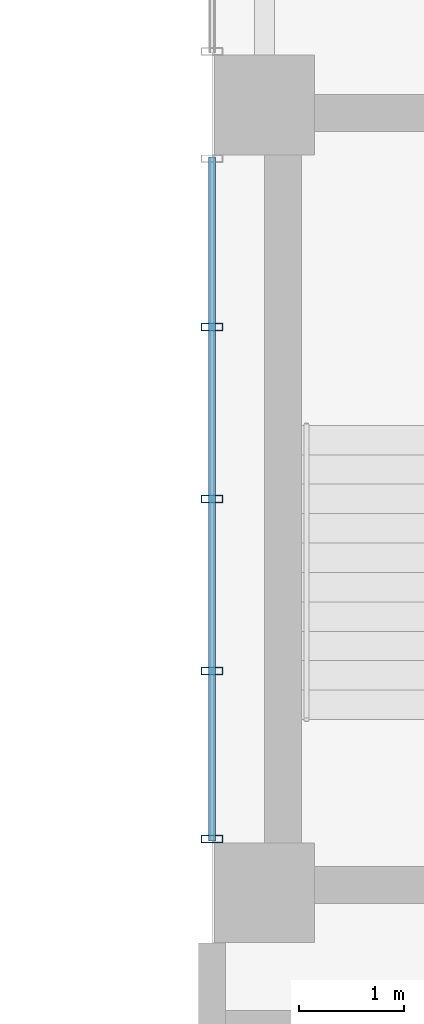
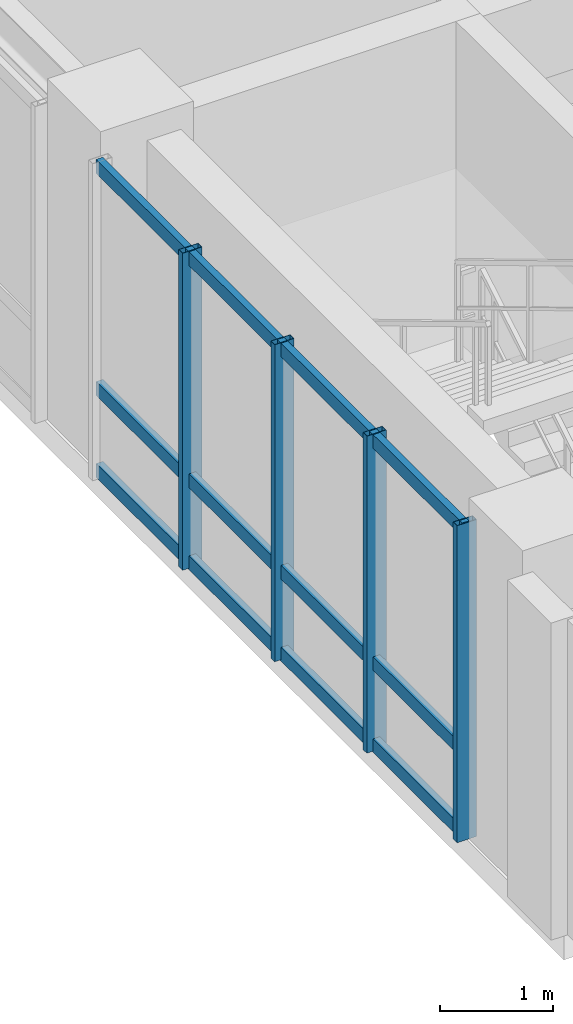
# One storey, part 4 of 24: 7 members, 1 element without a shape of its own.
"""IFC4 building model written with IfcOpenShell, lengths in metres."""

from ifc_helpers import new_model, si_unit, direction, frame, origin, origin_2d, place, context, subcontext, project, spatial, hollow_rectangle, extrude, source, transform, mapped, material, layer, layer_set, material_profile, profile_set, type_object, element, aggregate, save


model = new_model("IFC4")

# Units and contexts
model_context = context("Model", 3, precision=1e-05, world=origin(), true_north=direction((0.0, 1.0)))
body_context = subcontext(model_context, "Body", "Model", "MODEL_VIEW")
ifc_project = project(units=[si_unit("LENGTHUNIT", "METRE"), si_unit("AREAUNIT", "SQUARE_METRE"), si_unit("VOLUMEUNIT", "CUBIC_METRE"), si_unit("PLANEANGLEUNIT", "RADIAN"), si_unit("MASSUNIT", "GRAM", prefix="KILO")], contexts=[model_context])

# Site, building, storey
site_placement = place(None, origin())
site = spatial("IfcSite", under=ifc_project, at=site_placement, CompositionType="ELEMENT")
building_placement = place(site_placement, origin())
building = spatial("IfcBuilding", under=site, at=building_placement, Name="Kaliganga Portal Commons", CompositionType="ELEMENT")
storey_placement = place(building_placement, frame((0.0, 0.0, 235.10009765625)))
storey = spatial("IfcBuildingStorey", under=building, at=storey_placement, Name="L60", CompositionType="ELEMENT", Elevation=235.10009765625)

# Curtain wall, members
ifc_material_1 = material(Name="Anodized Aluminium and Laminated Low-E Glass", Category="aluminium")
ifc_layer = layer(ifc_material_1, 0.239990234375)
ifc_layer_set = layer_set([ifc_layer], Name="Anodized Aluminium and Laminated Low-E Glass")
curtain_wall_type = type_object("IfcCurtainWallType", Name="CW-SYS-04", PredefinedType="NOTDEFINED", material=ifc_layer_set)
curtain_wall_placement = place(storey_placement, origin())
curtain_wall = element("IfcCurtainWall", 1, at=curtain_wall_placement, inside=storey, type_object=curtain_wall_type, Name="CW 04 L60 P2E05S2", PredefinedType="NOTDEFINED")
ifc_material_2 = material(Name="Dark Bronze Anodized Aluminium", Category="aluminium")
ifc_material_profile_1 = material_profile(ifc_material_2, hollow_rectangle(XDim=0.070068359375, YDim=0.199951171875, WallThickness=0.00390625, at=origin_2d()), Name="ALU MULL 70x200x4")
ifc_profile_set_1 = profile_set([ifc_material_profile_1], Name="Dark Bronze Anodized Aluminium")
member_type_1 = type_object("IfcMemberType", Name="CW-MUL-220", PredefinedType="MULLION", material=ifc_profile_set_1)
shared_shape_1 = source(origin(), body_context, "Body", "SweptSolid", [
    extrude(hollow_rectangle(XDim=0.070068359375, YDim=0.199951171875, WallThickness=0.00390625, at=origin_2d()), origin(), (0.0, 0.0, 1.0), 3.43994140625),
])
member_1_placement = place(storey_placement, frame((35.5, 12.43701171875, 0.0), z_axis=(0.0, 0.0, 1.0), x_axis=(0.0, -1.0, 0.0)))
member_1 = element("IfcMember", 2, at=member_1_placement, type_object=member_type_1, Name="CW:04:L60:P2E05S2 Mullion 01", PredefinedType="MULLION", context=body_context, shape_type="MappedRepresentation", body=[
    mapped(shared_shape_1, transform((0.0, 0.0, 0.0), x_axis=(1.0, 0.0, 0.0), y_axis=(0.0, 1.0, 0.0), z_axis=(0.0, 0.0, 1.0), scale=1.0)),
])
member_2_placement = place(storey_placement, frame((35.5, 10.800048828125, 0.0), z_axis=(0.0, 0.0, 1.0), x_axis=(0.0, -1.0, 0.0)))
member_2 = element("IfcMember", 3, at=member_2_placement, type_object=member_type_1, Name="CW:04:L60:P2E05S2 Mullion 02", PredefinedType="MULLION", context=body_context, shape_type="MappedRepresentation", body=[
    mapped(shared_shape_1, transform((0.0, 0.0, 0.0), x_axis=(1.0, 0.0, 0.0), y_axis=(0.0, 1.0, 0.0), z_axis=(0.0, 0.0, 1.0), scale=1.0)),
])
member_3_placement = place(storey_placement, frame((35.5, 9.1630859375, 0.0), z_axis=(0.0, 0.0, 1.0), x_axis=(0.0, -1.0, 0.0)))
member_3 = element("IfcMember", 4, at=member_3_placement, type_object=member_type_1, Name="CW:04:L60:P2E05S2 Mullion 03", PredefinedType="MULLION", context=body_context, shape_type="MappedRepresentation", body=[
    mapped(shared_shape_1, transform((0.0, 0.0, 0.0), x_axis=(1.0, 0.0, 0.0), y_axis=(0.0, 1.0, 0.0), z_axis=(0.0, 0.0, 1.0), scale=1.0)),
])
member_4_placement = place(storey_placement, frame((35.5, 7.56103515625, 0.0), z_axis=(0.0, 0.0, 1.0), x_axis=(0.0, -1.0, 0.0)))
member_4 = element("IfcMember", 5, at=member_4_placement, type_object=member_type_1, Name="CW:04:L60:P2E05S2 Mullion 04", PredefinedType="MULLION", context=body_context, shape_type="MappedRepresentation", body=[
    mapped(shared_shape_1, transform((0.0, 0.0, 0.0), x_axis=(1.0, 0.0, 0.0), y_axis=(0.0, 1.0, 0.0), z_axis=(0.0, 0.0, 1.0), scale=1.0)),
])
ifc_material_profile_2 = material_profile(ifc_material_2, hollow_rectangle(XDim=0.070068359375, YDim=0.14990234375, WallThickness=0.00341796875, at=origin_2d()), Name="ALU TRAN 70x150x3.5")
ifc_profile_set_2 = profile_set([ifc_material_profile_2], Name="Dark Bronze Anodized Aluminium")
member_type_2 = type_object("IfcMemberType", Name="CW-TRN-150", PredefinedType="USERDEFINED", material=ifc_profile_set_2)
shared_shape_2 = source(origin(), body_context, "Body", "SweptSolid", [
    extrude(hollow_rectangle(XDim=0.070068359375, YDim=0.14990234375, WallThickness=0.00341796875, at=origin_2d()), origin(), (0.0, 0.0, 1.0), 6.508056640625),
])
member_5_placement = place(storey_placement, frame((35.5, 14.053955078125, 0.059814453125), z_axis=(0.0, -1.0, 0.0), x_axis=(1.0, 0.0, 0.0)))
member_5 = element("IfcMember", 6, at=member_5_placement, type_object=member_type_2, Name="CW:04:L60:P2E05S2 Transom 1", ObjectType="TRANSOM", PredefinedType="USERDEFINED", context=body_context, shape_type="MappedRepresentation", body=[
    mapped(shared_shape_2, transform((0.0, 0.0, 0.0), x_axis=(1.0, 0.0, 0.0), y_axis=(0.0, 1.0, 0.0), z_axis=(0.0, 0.0, 1.0), scale=1.0)),
])
member_6_placement = place(storey_placement, frame((35.5, 14.053955078125, 0.949951171875), z_axis=(0.0, -1.0, 0.0), x_axis=(1.0, 0.0, 0.0)))
member_6 = element("IfcMember", 7, at=member_6_placement, type_object=member_type_2, Name="CW:04:L60:P2E05S2 Transom 2", ObjectType="TRANSOM", PredefinedType="USERDEFINED", context=body_context, shape_type="MappedRepresentation", body=[
    mapped(shared_shape_2, transform((0.0, 0.0, 0.0), x_axis=(1.0, 0.0, 0.0), y_axis=(0.0, 1.0, 0.0), z_axis=(0.0, 0.0, 1.0), scale=1.0)),
])
member_7_placement = place(storey_placement, frame((35.5, 14.053955078125, 3.35986328125), z_axis=(0.0, -1.0, 0.0), x_axis=(1.0, 0.0, 0.0)))
member_7 = element("IfcMember", 8, at=member_7_placement, type_object=member_type_2, Name="CW:04:L60:P2E05S2 Transom 3", ObjectType="TRANSOM", PredefinedType="USERDEFINED", context=body_context, shape_type="MappedRepresentation", body=[
    mapped(shared_shape_2, transform((0.0, 0.0, 0.0), x_axis=(1.0, 0.0, 0.0), y_axis=(0.0, 1.0, 0.0), z_axis=(0.0, 0.0, 1.0), scale=1.0)),
])
aggregate(curtain_wall, [member_1, member_2, member_3, member_4, member_5, member_6, member_7])

save(model, "model.ifc")
